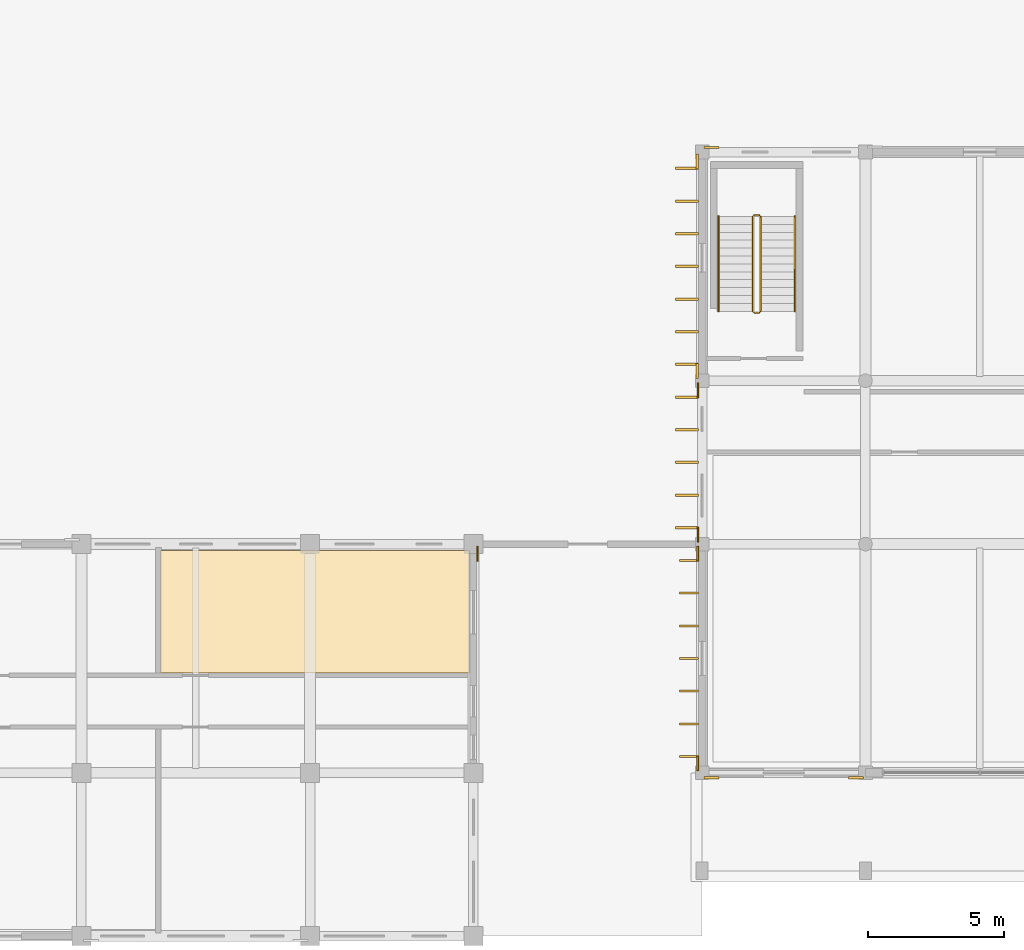
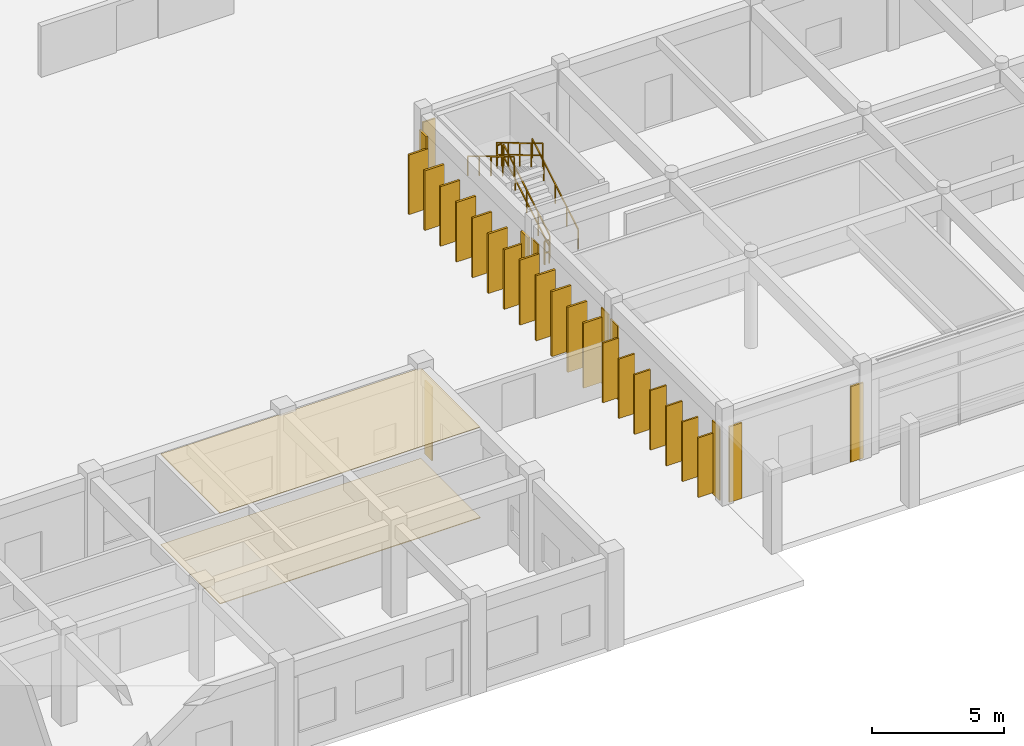
# One storey, part 52 of 67: 19 shading devices, 12 coverings, 6 railings.
"""IFC4 building model written with IfcOpenShell, lengths in metres."""

from ifc_helpers import new_model, si_unit, direction, frame, origin, origin_2d, place, context, subcontext, project, spatial, polyline, rectangle, outline, extrude, material, layer, layer_set, type_object, element, save


model = new_model("IFC4")

# Units and contexts
model_context = context("Model", 3, precision=1e-05, world=origin(), true_north=direction((0.0, 1.0)))
body_context = subcontext(model_context, "Body", "Model", "MODEL_VIEW")
ifc_project = project(units=[si_unit("LENGTHUNIT", "METRE"), si_unit("AREAUNIT", "SQUARE_METRE"), si_unit("VOLUMEUNIT", "CUBIC_METRE"), si_unit("PLANEANGLEUNIT", "RADIAN"), si_unit("MASSUNIT", "GRAM", prefix="KILO"), si_unit("THERMODYNAMICTEMPERATUREUNIT", "KELVIN")], contexts=[model_context])

# Site, building, storey
site_placement = place(None, origin())
site = spatial("IfcSite", under=ifc_project, at=site_placement, CompositionType="ELEMENT")
building_placement = place(site_placement, origin())
building = spatial("IfcBuilding", under=site, at=building_placement, Name="Thalorik Housing Commons", CompositionType="ELEMENT")
storey_placement = place(building_placement, origin())
storey = spatial("IfcBuildingStorey", under=building, at=storey_placement, Name="L00", CompositionType="ELEMENT", Elevation=0.0)

# Coverings
ifc_material_1 = material(Name="Cobalt blue glazed ceramic facade tile panel", Category="masonry")
ifc_layer_1 = layer(ifc_material_1, 0.06005859375, Name="Cobalt blue glazed ceramic facade tile panel", Category="masonry")
ifc_layer_set_1 = layer_set([ifc_layer_1], Name="Cobalt blue glazed ceramic facade tile panel")
covering_type_1 = type_object("IfcCoveringType", Name="ARC-CLD-BLU-60", PredefinedType="CLADDING", material=ifc_layer_set_1)
for number, where, z_axis, x_axis, name in (
    (1, (57.744384765625, 22.449951171875, 0.0498046875), (0.0, 0.0, 1.0), (0.0, 1.0, 0.0), "L00 Architectural Facade Cladding 3427"),
    (2, (65.840576171875, 22.449951171875, 0.0498046875), (0.0, 0.0, 1.0), (0.0, -1.0, 0.0), "L00 Architectural Facade Cladding 5282"),
    (3, (65.840576171875, 14.75, 0.0498046875), (0.0, 0.0, 1.0), (0.0, -1.0, 0.0), "L00 Architectural Facade Cladding 5283"),
):
    element("IfcCovering", number, at=place(storey_placement, frame(where, z_axis=z_axis, x_axis=x_axis)), inside=storey, type_object=covering_type_1, Name=name, PredefinedType="CLADDING", context=body_context, shape_type="SweptSolid", body=[
        extrude(rectangle(XDim=0.550048828125, YDim=0.06005859375, at=origin_2d()), origin(), (0.0, 0.0, 1.0), 3.385009765625),
    ])
ifc_material_2 = material(Name="Precast concrete C40/50", Category="concrete")
ifc_layer_2 = layer(ifc_material_2, 0.074951171875, Name="Precast concrete C40/50", Category="concrete")
ifc_layer_set_2 = layer_set([ifc_layer_2], Name="Precast concrete C40/50")
covering_type_2 = type_object("IfcCoveringType", Name="ARC-CLD-PIER-75", PredefinedType="CLADDING", material=ifc_layer_set_2)
for number, where, z_axis, x_axis, name in (
    (4, (66.35009765625, 14.218017578125, 0.0498046875), (0.0, 0.0, 1.0), (1.0, 0.0, 0.0), "L00 Architectural Facade Cladding 5253"),
    (5, (71.64990234375, 14.218017578125, 0.0498046875), (0.0, 0.0, 1.0), (1.0, 0.0, 0.0), "L00 Architectural Facade Cladding 5254"),
    (6, (66.35009765625, 37.366943359375, 0.0498046875), (0.0, 0.0, 1.0), (-1.0, 0.0, 0.0), "L00 Architectural Facade Cladding 5277"),
):
    element("IfcCovering", number, at=place(storey_placement, frame(where, z_axis=z_axis, x_axis=x_axis)), inside=storey, type_object=covering_type_2, Name=name, PredefinedType="CLADDING", context=body_context, shape_type="SweptSolid", body=[
        extrude(rectangle(XDim=0.550048828125, YDim=0.074951171875, at=origin_2d()), origin(), (0.0, 0.0, 1.0), 3.485107421875),
    ])
ifc_layer_3 = layer(ifc_material_2, 0.090087890625, Name="Precast concrete C40/50", Category="concrete")
ifc_layer_set_3 = layer_set([ifc_layer_3], Name="Precast concrete C40/50")
covering_type_3 = type_object("IfcCoveringType", Name="ARC-CLD-PIER-90", PredefinedType="CLADDING", material=ifc_layer_set_3)
for number, where, z_axis, x_axis, name in (
    (7, (65.825439453125, 36.85009765625, 0.0498046875), (0.0, 0.0, 1.0), (0.0, -1.0, 0.0), "L00 Architectural Facade Cladding 5278"),
    (8, (65.825439453125, 29.14990234375, 0.0498046875), (0.0, 0.0, 1.0), (0.0, -1.0, 0.0), "L00 Architectural Facade Cladding 5279"),
):
    element("IfcCovering", number, at=place(storey_placement, frame(where, z_axis=z_axis, x_axis=x_axis)), inside=storey, type_object=covering_type_3, Name=name, PredefinedType="CLADDING", context=body_context, shape_type="SweptSolid", body=[
        extrude(rectangle(XDim=0.550048828125, YDim=0.090087890625, at=origin_2d()), origin(), (0.0, 0.0, 1.0), 3.385009765625),
    ])
ifc_material_3 = material(Name="Terracotta red mineral fibre-cement panel", Category="masonry")
ifc_layer_4 = layer(ifc_material_3, 0.054931640625, Name="Terracotta red mineral fibre-cement panel", Category="masonry")
ifc_layer_set_4 = layer_set([ifc_layer_4], Name="Terracotta red mineral fibre-cement panel")
covering_type_4 = type_object("IfcCoveringType", Name="ARC-CLD-RED-55", PredefinedType="CLADDING", material=ifc_layer_set_4)
for number, where, z_axis, x_axis, name in (
    (9, (65.843017578125, 28.449951171875, 0.0498046875), (0.0, 0.0, 1.0), (0.0, -1.0, 0.0), "L00 Architectural Facade Cladding 5280"),
    (10, (65.843017578125, 23.14990234375, 0.0498046875), (0.0, 0.0, 1.0), (0.0, -1.0, 0.0), "L00 Architectural Facade Cladding 5281"),
):
    element("IfcCovering", number, at=place(storey_placement, frame(where, z_axis=z_axis, x_axis=x_axis)), inside=storey, type_object=covering_type_4, Name=name, PredefinedType="CLADDING", context=body_context, shape_type="SweptSolid", body=[
        extrude(rectangle(XDim=0.550048828125, YDim=0.054931640625, at=origin_2d()), origin(), (0.0, 0.0, 1.0), 3.485107421875),
    ])
ifc_material_4 = material(Name="Acoustic wood-wool nursery ceiling panel", Category="wood")
ifc_layer_5 = layer(ifc_material_4, 0.035888671875, Name="Acoustic wood-wool nursery ceiling panel", Category="wood")
ifc_layer_set_5 = layer_set([ifc_layer_5], Name="Acoustic wood-wool nursery ceiling panel")
covering_type_5 = type_object("IfcCoveringType", Name="ARC-COV-CEIL-06", PredefinedType="CEILING", material=ifc_layer_set_5)
covering_1_placement = place(storey_placement, frame((0.0, 0.0, 4.1640625)))
element("IfcCovering", 11, at=covering_1_placement, inside=storey, type_object=covering_type_5, Name="L00 Senior Day Lounge Suspended Ceiling", PredefinedType="CEILING", context=body_context, shape_type="SweptSolid", body=[
    extrude(outline(polyline([(57.4599609375, 18.06005859375), (57.4599609375, 22.56005859375), (46.110107421875, 22.56005859375), (46.110107421875, 18.06005859375), (57.4599609375, 18.06005859375)])), origin(), (0.0, 0.0, 1.0), 0.035888671875),
])
ifc_material_5 = material(Name="Epoxy-sealed concrete plant and bicycle hub finish", Category="concrete")
ifc_layer_6 = layer(ifc_material_5, 0.031982421875, Name="Epoxy-sealed concrete plant and bicycle hub finish", Category="concrete")
ifc_layer_set_6 = layer_set([ifc_layer_6], Name="Epoxy-sealed concrete plant and bicycle hub finish")
covering_type_6 = type_object("IfcCoveringType", Name="ARC-COV-FLR-06", PredefinedType="FLOORING", material=ifc_layer_set_6)
covering_2_placement = place(storey_placement, origin())
element("IfcCovering", 12, at=covering_2_placement, inside=storey, type_object=covering_type_6, Name="L00 Senior Day Lounge Flooring", PredefinedType="FLOORING", context=body_context, shape_type="SweptSolid", body=[
    extrude(outline(polyline([(57.4599609375, 18.06005859375), (57.4599609375, 22.56005859375), (46.110107421875, 22.56005859375), (46.110107421875, 18.06005859375), (57.4599609375, 18.06005859375)])), origin(), (0.0, 0.0, 1.0), 0.031982421875),
])

# Shading devices
shading_device_type_1 = type_object("IfcShadingDeviceType", Name="ARC-FIN-PC-850A", PredefinedType="USERDEFINED", material=ifc_material_2)
for number, where, z_axis, x_axis, name in (
    (13, (65.447509765625, 36.60009765625, 0.1201171875), (0.0, 0.0, 1.0), (0.0, -1.0, 0.0), "L00 Vertical Precast Solar Fin 170"),
    (14, (65.447509765625, 35.39990234375, 0.1201171875), (0.0, 0.0, 1.0), (0.0, -1.0, 0.0), "L00 Vertical Precast Solar Fin 171"),
    (15, (65.447509765625, 34.199951171875, 0.1201171875), (0.0, 0.0, 1.0), (0.0, -1.0, 0.0), "L00 Vertical Precast Solar Fin 172"),
    (16, (65.447509765625, 33.0, 0.1201171875), (0.0, 0.0, 1.0), (0.0, -1.0, 0.0), "L00 Vertical Precast Solar Fin 173"),
    (17, (65.447509765625, 31.800048828125, 0.1201171875), (0.0, 0.0, 1.0), (0.0, -1.0, 0.0), "L00 Vertical Precast Solar Fin 174"),
    (18, (65.447509765625, 30.60009765625, 0.1201171875), (0.0, 0.0, 1.0), (0.0, -1.0, 0.0), "L00 Vertical Precast Solar Fin 175"),
    (19, (65.447509765625, 29.39990234375, 0.1201171875), (0.0, 0.0, 1.0), (0.0, -1.0, 0.0), "L00 Vertical Precast Solar Fin 176"),
):
    element("IfcShadingDevice", number, at=place(storey_placement, frame(where, z_axis=z_axis, x_axis=x_axis)), inside=storey, type_object=shading_device_type_1, Name=name, ObjectType="FIN", PredefinedType="USERDEFINED", context=body_context, shape_type="SweptSolid", body=[
        extrude(rectangle(XDim=0.090087890625, YDim=0.85009765625, at=origin_2d()), origin(), (0.0, 0.0, 1.0), 2.75),
    ])
shading_device_type_2 = type_object("IfcShadingDeviceType", Name="ARC-FIN-PC-850B", PredefinedType="USERDEFINED", material=ifc_material_2)
for number, where, z_axis, x_axis, name in (
    (20, (65.447509765625, 28.199951171875, 0.1201171875), (0.0, 0.0, 1.0), (0.0, -1.0, 0.0), "L00 Vertical Precast Solar Fin 177"),
    (21, (65.447509765625, 27.0, 0.1201171875), (0.0, 0.0, 1.0), (0.0, -1.0, 0.0), "L00 Vertical Precast Solar Fin 178"),
    (22, (65.447509765625, 25.800048828125, 0.1201171875), (0.0, 0.0, 1.0), (0.0, -1.0, 0.0), "L00 Vertical Precast Solar Fin 179"),
    (23, (65.447509765625, 24.60009765625, 0.1201171875), (0.0, 0.0, 1.0), (0.0, -1.0, 0.0), "L00 Vertical Precast Solar Fin 180"),
    (24, (65.447509765625, 23.39990234375, 0.1201171875), (0.0, 0.0, 1.0), (0.0, -1.0, 0.0), "L00 Vertical Precast Solar Fin 181"),
):
    element("IfcShadingDevice", number, at=place(storey_placement, frame(where, z_axis=z_axis, x_axis=x_axis)), inside=storey, type_object=shading_device_type_2, Name=name, ObjectType="FIN", PredefinedType="USERDEFINED", context=body_context, shape_type="SweptSolid", body=[
        extrude(rectangle(XDim=0.090087890625, YDim=0.85009765625, at=origin_2d()), origin(), (0.0, 0.0, 1.0), 3.0),
    ])
ifc_material_6 = material(Name="Oxide red precast concrete C40/50", Category="concrete")
shading_device_type_3 = type_object("IfcShadingDeviceType", Name="ARC-FIN-RED-700", PredefinedType="USERDEFINED", material=ifc_material_6)
for number, where, z_axis, x_axis, name in (
    (25, (65.5224609375, 22.199951171875, 0.1201171875), (0.0, 0.0, 1.0), (0.0, -1.0, 0.0), "L00 Vertical Precast Solar Fin 182"),
    (26, (65.5224609375, 21.0, 0.1201171875), (0.0, 0.0, 1.0), (0.0, -1.0, 0.0), "L00 Vertical Precast Solar Fin 183"),
    (27, (65.5224609375, 19.800048828125, 0.1201171875), (0.0, 0.0, 1.0), (0.0, -1.0, 0.0), "L00 Vertical Precast Solar Fin 184"),
    (28, (65.5224609375, 18.60009765625, 0.1201171875), (0.0, 0.0, 1.0), (0.0, -1.0, 0.0), "L00 Vertical Precast Solar Fin 185"),
    (29, (65.5224609375, 17.39990234375, 0.1201171875), (0.0, 0.0, 1.0), (0.0, -1.0, 0.0), "L00 Vertical Precast Solar Fin 186"),
    (30, (65.5224609375, 16.199951171875, 0.1201171875), (0.0, 0.0, 1.0), (0.0, -1.0, 0.0), "L00 Vertical Precast Solar Fin 187"),
    (31, (65.5224609375, 15.0, 0.1201171875), (0.0, 0.0, 1.0), (0.0, -1.0, 0.0), "L00 Vertical Precast Solar Fin 188"),
):
    element("IfcShadingDevice", number, at=place(storey_placement, frame(where, z_axis=z_axis, x_axis=x_axis)), inside=storey, type_object=shading_device_type_3, Name=name, ObjectType="FIN", PredefinedType="USERDEFINED", context=body_context, shape_type="SweptSolid", body=[
        extrude(rectangle(XDim=0.074951171875, YDim=0.699951171875, at=origin_2d()), origin(), (0.0, 0.0, 1.0), 2.75),
    ])

# Railings
ifc_material_7 = material(Name="Steel S355", Category="steel")
railing_type_1 = type_object("IfcRailingType", Name="ARC-RL-STR-GRD110", PredefinedType="GUARDRAIL", material=ifc_material_7)
railing_1_placement = place(storey_placement, frame((68.14990234375, 31.35009765625, 0.173095703125)))
element("IfcRailing", 32, at=railing_1_placement, inside=storey, type_object=railing_type_1, Name="L00 ST-S1 stair guard 1", PredefinedType="GUARDRAIL", context=body_context, shape_type="SweptSolid", body=[
    extrude(rectangle(XDim=0.048095703125, YDim=0.048095703125, at=origin_2d()), frame((0.0, 0.0, 1.076171875), z_axis=(0.0, 0.858697190188, 0.512483302717), x_axis=(-1.0, 0.0, 0.0)), (0.0, 0.0, 1.0), 4.052734375),
    extrude(rectangle(XDim=0.048095703125, YDim=0.048095703125, at=origin_2d()), frame((0.0, 0.0, 0.52587890625), z_axis=(0.0, 0.858697190188, 0.512483302717), x_axis=(-1.0, 0.0, 0.0)), (0.0, 0.0, 1.0), 4.052734375),
    extrude(rectangle(XDim=0.0419921875, YDim=0.0419921875, at=origin_2d()), origin(), (0.0, 0.0, 1.0), 1.052001953125),
    extrude(rectangle(XDim=0.0419921875, YDim=0.0419921875, at=origin_2d()), frame((0.0, 0.8701171875, 0.519287109375)), (0.0, 0.0, 1.0), 1.052001953125),
    extrude(rectangle(XDim=0.0419921875, YDim=0.0419921875, at=origin_2d()), frame((0.0, 1.739990234375, 1.03857421875)), (0.0, 0.0, 1.0), 1.052001953125),
    extrude(rectangle(XDim=0.0419921875, YDim=0.0419921875, at=origin_2d()), frame((0.0, 2.60986328125, 1.5576171875)), (0.0, 0.0, 1.0), 1.052001953125),
    extrude(rectangle(XDim=0.0419921875, YDim=0.0419921875, at=origin_2d()), frame((0.0, 3.47998046875, 2.076904296875)), (0.0, 0.0, 1.0), 1.052001953125),
])
railing_2_placement = place(storey_placement, frame((68.10009765625, 34.8798828125, 2.25)))
element("IfcRailing", 33, at=railing_2_placement, inside=storey, type_object=railing_type_1, Name="L00 ST-S1 stair guard 2", PredefinedType="GUARDRAIL", context=body_context, shape_type="SweptSolid", body=[
    extrude(rectangle(XDim=0.048095703125, YDim=0.048095703125, at=origin_2d()), frame((0.0, 0.0, 1.076171875), z_axis=(-1.0, 0.0, 0.0), x_axis=(0.0, -1.0, 0.0)), (0.0, 0.0, 1.0), 0.2001953125),
    extrude(rectangle(XDim=0.048095703125, YDim=0.048095703125, at=origin_2d()), frame((0.0, 0.0, 0.52587890625), z_axis=(-1.0, 0.0, 0.0), x_axis=(0.0, -1.0, 0.0)), (0.0, 0.0, 1.0), 0.2001953125),
    extrude(rectangle(XDim=0.0419921875, YDim=0.0419921875, at=origin_2d()), origin(), (0.0, 0.0, 1.0), 1.052001953125),
    extrude(rectangle(XDim=0.0419921875, YDim=0.0419921875, at=origin_2d()), frame((-0.2001953125, 0.0, 0.0)), (0.0, 0.0, 1.0), 1.052001953125),
])
railing_3_placement = place(storey_placement, frame((67.85009765625, 34.830078125, 2.423095703125)))
element("IfcRailing", 34, at=railing_3_placement, inside=storey, type_object=railing_type_1, Name="L00 ST-S1 stair guard 3", PredefinedType="GUARDRAIL", context=body_context, shape_type="SweptSolid", body=[
    extrude(rectangle(XDim=0.048095703125, YDim=0.048095703125, at=origin_2d()), frame((0.0, 0.0, 1.076171875), z_axis=(0.0, -0.858697190188, 0.512483302717), x_axis=(1.0, 0.0, 0.0)), (0.0, 0.0, 1.0), 4.052734375),
    extrude(rectangle(XDim=0.048095703125, YDim=0.048095703125, at=origin_2d()), frame((0.0, 0.0, 0.52587890625), z_axis=(0.0, -0.858697190188, 0.512483302717), x_axis=(1.0, 0.0, 0.0)), (0.0, 0.0, 1.0), 4.052734375),
    extrude(rectangle(XDim=0.0419921875, YDim=0.0419921875, at=origin_2d()), origin(), (0.0, 0.0, 1.0), 1.052001953125),
    extrude(rectangle(XDim=0.0419921875, YDim=0.0419921875, at=origin_2d()), frame((0.0, -0.8701171875, 0.519287109375)), (0.0, 0.0, 1.0), 1.052001953125),
    extrude(rectangle(XDim=0.0419921875, YDim=0.0419921875, at=origin_2d()), frame((0.0, -1.739990234375, 1.03857421875)), (0.0, 0.0, 1.0), 1.052001953125),
    extrude(rectangle(XDim=0.0419921875, YDim=0.0419921875, at=origin_2d()), frame((0.0, -2.60986328125, 1.5576171875)), (0.0, 0.0, 1.0), 1.052001953125),
    extrude(rectangle(XDim=0.0419921875, YDim=0.0419921875, at=origin_2d()), frame((0.0, -3.47998046875, 2.076904296875)), (0.0, 0.0, 1.0), 1.052001953125),
])
railing_4_placement = place(storey_placement, frame((68.10009765625, 31.300048828125, 0.0)))
element("IfcRailing", 35, at=railing_4_placement, inside=storey, type_object=railing_type_1, Name="L00 ST-S1 stair guard 4", PredefinedType="GUARDRAIL", context=body_context, shape_type="SweptSolid", body=[
    extrude(rectangle(XDim=0.048095703125, YDim=0.048095703125, at=origin_2d()), frame((0.0, 0.0, 1.076171875), z_axis=(-1.0, 0.0, 0.0), x_axis=(0.0, -1.0, 0.0)), (0.0, 0.0, 1.0), 0.2001953125),
    extrude(rectangle(XDim=0.048095703125, YDim=0.048095703125, at=origin_2d()), frame((0.0, 0.0, 0.52587890625), z_axis=(-1.0, 0.0, 0.0), x_axis=(0.0, -1.0, 0.0)), (0.0, 0.0, 1.0), 0.2001953125),
    extrude(rectangle(XDim=0.0419921875, YDim=0.0419921875, at=origin_2d()), origin(), (0.0, 0.0, 1.0), 1.052001953125),
    extrude(rectangle(XDim=0.0419921875, YDim=0.0419921875, at=origin_2d()), frame((-0.2001953125, 0.0, 0.0)), (0.0, 0.0, 1.0), 1.052001953125),
])
railing_type_2 = type_object("IfcRailingType", Name="ARC-RL-STR-HR092", PredefinedType="HANDRAIL", material=ifc_material_7)
railing_5_placement = place(storey_placement, frame((69.39990234375, 31.35009765625, 0.173095703125)))
element("IfcRailing", 36, at=railing_5_placement, inside=storey, type_object=railing_type_2, Name="L00 ST-S1 stair handrail 1", PredefinedType="HANDRAIL", context=body_context, shape_type="SweptSolid", body=[
    extrude(rectangle(XDim=0.048095703125, YDim=0.048095703125, at=origin_2d()), frame((0.0, 0.0, 0.89599609375), z_axis=(0.0, 0.858697190188, 0.512483302717), x_axis=(-1.0, 0.0, 0.0)), (0.0, 0.0, 1.0), 4.052734375),
    extrude(rectangle(XDim=0.0419921875, YDim=0.0419921875, at=origin_2d()), origin(), (0.0, 0.0, 1.0), 0.871826171875),
    extrude(rectangle(XDim=0.0419921875, YDim=0.0419921875, at=origin_2d()), frame((0.0, 0.8701171875, 0.519287109375)), (0.0, 0.0, 1.0), 0.871826171875),
    extrude(rectangle(XDim=0.0419921875, YDim=0.0419921875, at=origin_2d()), frame((0.0, 1.739990234375, 1.03857421875)), (0.0, 0.0, 1.0), 0.871826171875),
    extrude(rectangle(XDim=0.0419921875, YDim=0.0419921875, at=origin_2d()), frame((0.0, 2.60986328125, 1.5576171875)), (0.0, 0.0, 1.0), 0.871826171875),
    extrude(rectangle(XDim=0.0419921875, YDim=0.0419921875, at=origin_2d()), frame((0.0, 3.47998046875, 2.076904296875)), (0.0, 0.0, 1.0), 0.871826171875),
])
railing_6_placement = place(storey_placement, frame((66.60009765625, 34.830078125, 2.423095703125)))
element("IfcRailing", 37, at=railing_6_placement, inside=storey, type_object=railing_type_2, Name="L00 ST-S1 stair handrail 2", PredefinedType="HANDRAIL", context=body_context, shape_type="SweptSolid", body=[
    extrude(rectangle(XDim=0.048095703125, YDim=0.048095703125, at=origin_2d()), frame((0.0, 0.0, 0.89599609375), z_axis=(0.0, -0.858697190188, 0.512483302717), x_axis=(1.0, 0.0, 0.0)), (0.0, 0.0, 1.0), 4.052734375),
    extrude(rectangle(XDim=0.0419921875, YDim=0.0419921875, at=origin_2d()), origin(), (0.0, 0.0, 1.0), 0.871826171875),
    extrude(rectangle(XDim=0.0419921875, YDim=0.0419921875, at=origin_2d()), frame((0.0, -0.8701171875, 0.519287109375)), (0.0, 0.0, 1.0), 0.871826171875),
    extrude(rectangle(XDim=0.0419921875, YDim=0.0419921875, at=origin_2d()), frame((0.0, -1.739990234375, 1.03857421875)), (0.0, 0.0, 1.0), 0.871826171875),
    extrude(rectangle(XDim=0.0419921875, YDim=0.0419921875, at=origin_2d()), frame((0.0, -2.60986328125, 1.5576171875)), (0.0, 0.0, 1.0), 0.871826171875),
    extrude(rectangle(XDim=0.0419921875, YDim=0.0419921875, at=origin_2d()), frame((0.0, -3.47998046875, 2.076904296875)), (0.0, 0.0, 1.0), 0.871826171875),
])

save(model, "model.ifc")
